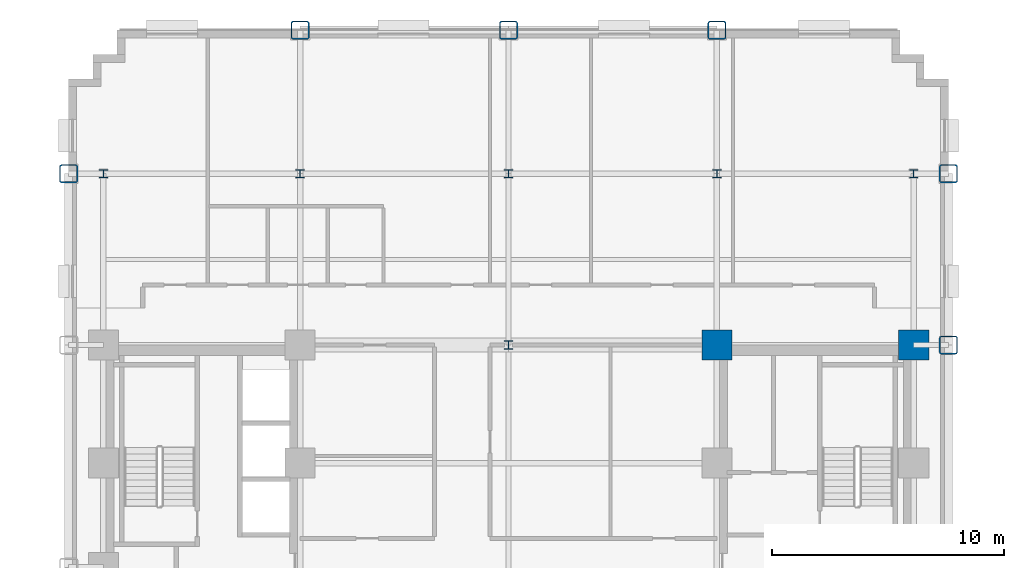
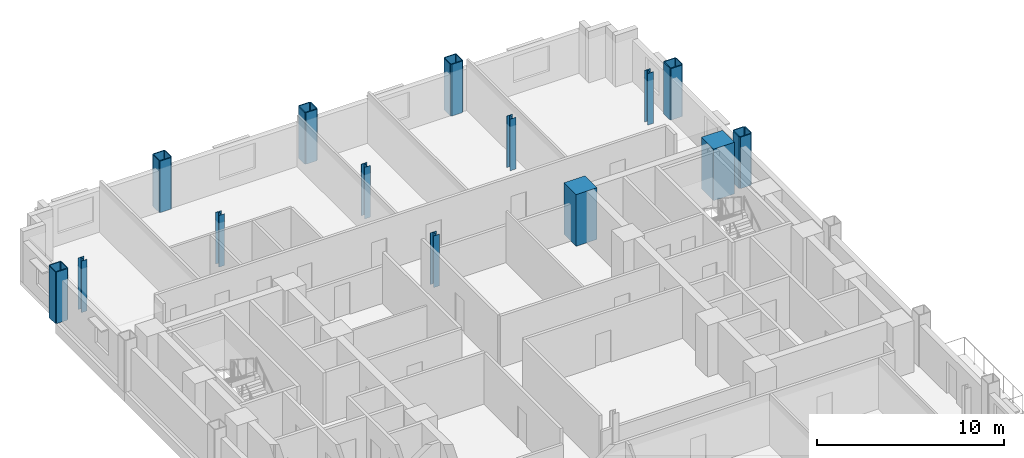
# One storey, part 2 of 12: 14 columns.
"""IFC4 building model written with IfcOpenShell, lengths in metres."""

from ifc_helpers import new_model, si_unit, direction, frame, origin, origin_2d, place, context, subcontext, project, spatial, rectangle, hollow_rectangle, i_section, extrude, material, material_profile, profile_set, type_object, element, save


model = new_model("IFC4")

# Units and contexts
model_context = context("Model", 3, precision=1e-05, world=origin(), true_north=direction((0.0, 1.0)))
body_context = subcontext(model_context, "Body", "Model", "MODEL_VIEW")
ifc_project = project(units=[si_unit("LENGTHUNIT", "METRE"), si_unit("AREAUNIT", "SQUARE_METRE"), si_unit("VOLUMEUNIT", "CUBIC_METRE"), si_unit("PLANEANGLEUNIT", "RADIAN"), si_unit("MASSUNIT", "GRAM", prefix="KILO")], contexts=[model_context])

# Site, building, storey
site_placement = place(None, origin())
site = spatial("IfcSite", under=ifc_project, at=site_placement, CompositionType="ELEMENT")
building_placement = place(site_placement, origin())
building = spatial("IfcBuilding", under=site, at=building_placement, Name="Nuvemarco Arch Tower", CompositionType="ELEMENT")
storey_placement = place(building_placement, frame((0.0, 0.0, 42.199951171875)))
storey = spatial("IfcBuildingStorey", under=building, at=storey_placement, Name="L10", CompositionType="ELEMENT", Elevation=42.199951171875)

# Columns
ifc_material_1 = material(Name="Concrete C60/75", Category="concrete")
ifc_material_profile_1 = material_profile(ifc_material_1, rectangle(XDim=1.300048828125, YDim=1.300048828125, at=origin_2d()), Name="RC-COL-1300x1300")
ifc_profile_set_1 = profile_set([ifc_material_profile_1], Name="Concrete C60/75")
column_type_1 = type_object("IfcColumnType", Name="COL-CORE-1300", PredefinedType="COLUMN", material=ifc_profile_set_1)
for number, where, z_axis, x_axis, name in (
    (1, (9.0, 9.60009765625, 0.0), (0.0, 0.0, 1.0), (1.0, 0.0, 0.0), "L10 column CC_+9.0_+9.6"),
    (2, (17.5, 9.60009765625, 0.0), (0.0, 0.0, 1.0), (1.0, 0.0, 0.0), "L10 column CC_+17.5_+9.6"),
):
    element("IfcColumn", number, at=place(storey_placement, frame(where, z_axis=z_axis, x_axis=x_axis)), inside=storey, type_object=column_type_1, Name=name, PredefinedType="COLUMN", context=body_context, shape_type="SweptSolid", body=[
        extrude(rectangle(XDim=1.300048828125, YDim=1.300048828125, at=origin_2d()), origin(), (0.0, 0.0, 1.0), 3.3701171875),
    ])
ifc_material_2 = material(Name="Steel S460", Category="steel")
ifc_material_profile_2 = material_profile(ifc_material_2, hollow_rectangle(XDim=0.800048828125, YDim=0.800048828125, WallThickness=0.054931640625, InnerFilletRadius=0.054931640625, OuterFilletRadius=0.110107421875, at=origin_2d()), Name="SHS800x800x55")
ifc_profile_set_2 = profile_set([ifc_material_profile_2], Name="Steel S460")
column_type_2 = type_object("IfcColumnType", Name="COL-EXO-800", PredefinedType="COLUMN", material=ifc_profile_set_2)
for number, where, z_axis, x_axis, name in (
    (3, (-19.0, 17.0, 0.0), (0.0, 0.0, 1.0), (1.0, 0.0, 0.0), "L10 column CX_-19.0_+17.0"),
    (4, (19.0, 9.60009765625, 0.0), (0.0, 0.0, 1.0), (1.0, 0.0, 0.0), "L10 column CX_+19.0_+9.6"),
    (5, (19.0, 17.0, 0.0), (0.0, 0.0, 1.0), (1.0, 0.0, 0.0), "L10 column CX_+19.0_+17.0"),
    (6, (-9.0, 23.199951171875, 0.0), (0.0, 0.0, 1.0), (1.0, 0.0, 0.0), "L10 column CY_-9.0_+23.2"),
    (7, (0.0, 23.199951171875, 0.0), (0.0, 0.0, 1.0), (1.0, 0.0, 0.0), "L10 column CY_+0.0_+23.2"),
    (8, (9.0, 23.199951171875, 0.0), (0.0, 0.0, 1.0), (1.0, 0.0, 0.0), "L10 column CY_+9.0_+23.2"),
):
    element("IfcColumn", number, at=place(storey_placement, frame(where, z_axis=z_axis, x_axis=x_axis)), inside=storey, type_object=column_type_2, Name=name, PredefinedType="COLUMN", context=body_context, shape_type="SweptSolid", body=[
        extrude(hollow_rectangle(XDim=0.800048828125, YDim=0.800048828125, WallThickness=0.054931640625, InnerFilletRadius=0.054931640625, OuterFilletRadius=0.110107421875, at=origin_2d()), origin(), (0.0, 0.0, 1.0), 3.3701171875),
    ])
ifc_material_3 = material(Name="Steel S355", Category="steel")
ifc_material_profile_3 = material_profile(ifc_material_3, i_section(OverallWidth=0.360107421875, OverallDepth=0.360107421875, WebThickness=0.0205078125, FlangeThickness=0.0205078125, FilletRadius=0.01806640625, at=origin_2d()), Name="HP360x174")
ifc_profile_set_3 = profile_set([ifc_material_profile_3], Name="Steel S355")
column_type_3 = type_object("IfcColumnType", Name="COL-STL-HP360", PredefinedType="COLUMN", material=ifc_profile_set_3)
for number, where, z_axis, x_axis, name in (
    (9, (0.0, 9.60009765625, 0.0), (0.0, 0.0, 1.0), (1.0, 0.0, 0.0), "L10 column CI_+0.0_+9.6"),
    (10, (0.0, 17.0, 0.0), (0.0, 0.0, 1.0), (1.0, 0.0, 0.0), "L10 column CI_+0.0_+17.0"),
    (11, (-17.5, 17.0, 0.0), (0.0, 0.0, 1.0), (1.0, 0.0, 0.0), "L10 column CI_-17.5_+17.0"),
    (12, (-9.0, 17.0, 0.0), (0.0, 0.0, 1.0), (1.0, 0.0, 0.0), "L10 column CI_-9.0_+17.0"),
    (13, (9.0, 17.0, 0.0), (0.0, 0.0, 1.0), (1.0, 0.0, 0.0), "L10 column CI_+9.0_+17.0"),
    (14, (17.5, 17.0, 0.0), (0.0, 0.0, 1.0), (1.0, 0.0, 0.0), "L10 column CI_+17.5_+17.0"),
):
    element("IfcColumn", number, at=place(storey_placement, frame(where, z_axis=z_axis, x_axis=x_axis)), inside=storey, type_object=column_type_3, Name=name, PredefinedType="COLUMN", context=body_context, shape_type="SweptSolid", body=[
        extrude(i_section(OverallWidth=0.360107421875, OverallDepth=0.360107421875, WebThickness=0.0205078125, FlangeThickness=0.0205078125, FilletRadius=0.01806640625, at=origin_2d()), origin(), (0.0, 0.0, 1.0), 3.3701171875),
    ])

save(model, "model.ifc")
